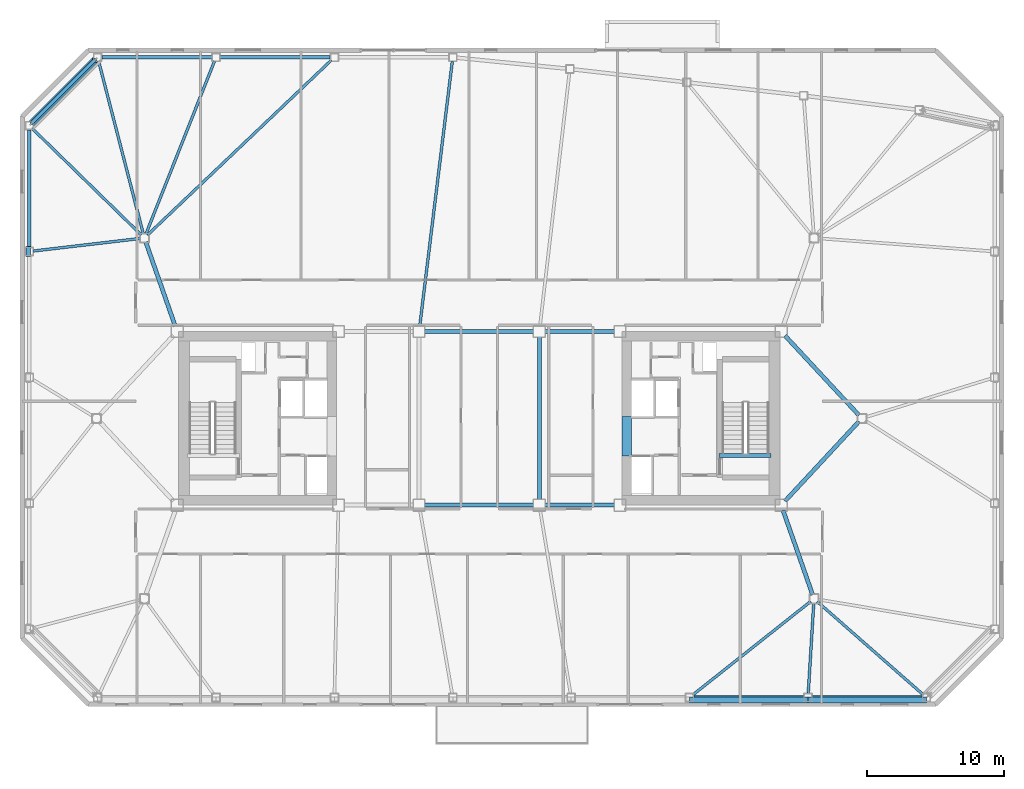
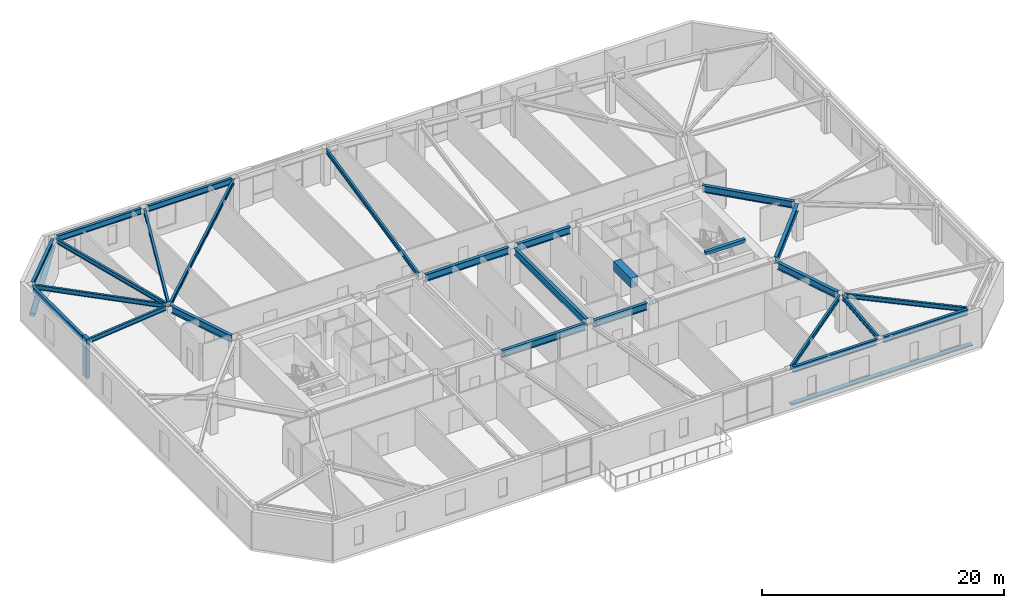
# One storey, part 5 of 19: 26 beams, 4 members.
"""IFC4 building model written with IfcOpenShell, lengths in metres."""

from ifc_helpers import new_model, si_unit, direction, frame, origin, origin_2d, place, context, subcontext, project, spatial, rectangle, hollow_circle, i_section, extrude, material, material_profile, profile_set, type_object, element, save


model = new_model("IFC4")

# Units and contexts
model_context = context("Model", 3, precision=1e-05, world=origin(), true_north=direction((0.0, 1.0)))
body_context = subcontext(model_context, "Body", "Model", "MODEL_VIEW")
ifc_project = project(units=[si_unit("LENGTHUNIT", "METRE"), si_unit("AREAUNIT", "SQUARE_METRE"), si_unit("VOLUMEUNIT", "CUBIC_METRE"), si_unit("PLANEANGLEUNIT", "RADIAN"), si_unit("MASSUNIT", "GRAM", prefix="KILO")], contexts=[model_context])

# Site, building, storey
site_placement = place(None, origin())
site = spatial("IfcSite", under=ifc_project, at=site_placement, CompositionType="ELEMENT")
building_placement = place(site_placement, origin())
building = spatial("IfcBuilding", under=site, at=building_placement, Name="Tavrogorsk Clinical Tower", CompositionType="ELEMENT")
storey_placement = place(building_placement, frame((0.0, 0.0, 188.199951171875)))
storey = spatial("IfcBuildingStorey", under=building, at=storey_placement, Name="L43", CompositionType="ELEMENT", Elevation=188.199951171875)

# Members
ifc_material_1 = material(Name="Anodised aluminium alloy AW-6063", Category="aluminium")
ifc_material_profile_1 = material_profile(ifc_material_1, rectangle(XDim=0.449951171875, YDim=0.1201171875, at=origin_2d()), Name="ALU-SUNSHADE-450x120")
ifc_profile_set_1 = profile_set([ifc_material_profile_1], Name="Anodised aluminium alloy AW-6063")
member_type_1 = type_object("IfcMemberType", Name="ChicagoSunshade_450x120", PredefinedType="USERDEFINED", material=ifc_profile_set_1)
for number, where, z_axis, x_axis, name in (
    (1, (15.394287109375, -20.60009765625, 0.179931640625), (1.0, 0.0, 0.0), (0.0, 1.0, 0.0), "L43 South Aluminium Sunshade S6"),
    (2, (24.05712890625, -20.60009765625, 0.179931640625), (1.0, 0.0, 0.0), (0.0, 1.0, 0.0), "L43 South Aluminium Sunshade S7"),
):
    element("IfcMember", number, at=place(storey_placement, frame(where, z_axis=z_axis, x_axis=x_axis)), inside=storey, type_object=member_type_1, Name=name, ObjectType="SUNSHADE", PredefinedType="USERDEFINED", context=body_context, shape_type="SweptSolid", body=[
        extrude(rectangle(XDim=0.449951171875, YDim=0.1201171875, at=origin_2d()), origin(), (0.0, 0.0, 1.0), 8.662841796875),
    ])

# Beam
ifc_material_2 = material(Name="Concrete B80", Category="concrete")
ifc_material_profile_2 = material_profile(ifc_material_2, rectangle(XDim=0.699951171875, YDim=0.949951171875, at=origin_2d()), Name="RC-CB-700x950")
ifc_profile_set_2 = profile_set([ifc_material_profile_2], Name="Concrete B80")
beam_type_1 = type_object("IfcBeamType", Name="CouplingBeam_RC700x950", PredefinedType="LINTEL", material=ifc_profile_set_2)
beam_1_placement = place(storey_placement, frame((10.800048828125, -2.75, 3.26513671875), z_axis=(0.0, 1.0, 0.0), x_axis=(-1.0, 0.0, 0.0)))
element("IfcBeam", 3, at=beam_1_placement, inside=storey, type_object=beam_type_1, Name="L43 Core East Coupling Beam", PredefinedType="LINTEL", context=body_context, shape_type="SweptSolid", body=[
    extrude(rectangle(XDim=0.699951171875, YDim=0.949951171875, at=origin_2d()), origin(), (0.0, 0.0, 1.0), 2.89990234375),
])

# Member
ifc_material_3 = material(Name="Structural steel S440", Category="steel")
ifc_material_profile_3 = material_profile(ifc_material_3, hollow_circle(Radius=0.25390625, WallThickness=0.02001953125, at=origin_2d()), Name="CHS-508x20")
ifc_profile_set_3 = profile_set([ifc_material_profile_3], Name="Structural steel S440")
member_type_2 = type_object("IfcMemberType", Name="ExoBrace_CHS508", PredefinedType="BRACE", material=ifc_profile_set_3)
member_1_placement = place(storey_placement, frame((-32.717529296875, 21.62255859375, 0.4130859375), z_axis=(0.657758524103, 0.657758524103, 0.367025132572), x_axis=(-0.707106781187, 0.707106781187, 0.0)))
element("IfcMember", 4, at=member_1_placement, inside=storey, type_object=member_type_2, Name="L43 Corner Exoskeleton Brace N8-W1", PredefinedType="BRACE", context=body_context, shape_type="SweptSolid", body=[
    extrude(hollow_circle(Radius=0.25390625, WallThickness=0.02001953125, at=origin_2d()), origin(), (0.0, 0.0, 1.0), 6.98583984375),
])

# Beams
ifc_material_4 = material(Name="Structural steel S355", Category="steel")
ifc_material_profile_4 = material_profile(ifc_material_4, i_section(OverallWidth=0.199951171875, OverallDepth=0.449951171875, WebThickness=0.011474609375, FlangeThickness=0.01806640625, at=origin_2d()), Name="B-450x200x11.5x18")
ifc_profile_set_4 = profile_set([ifc_material_profile_4], Name="Structural steel S355")
beam_type_2 = type_object("IfcBeamType", Name="FloorBeam_B450", PredefinedType="BEAM", material=ifc_profile_set_4)
beam_2_placement = place(storey_placement, frame((24.257080078125, -13.392578125, 3.51513671875), z_axis=(-0.783561002819, -0.621314859682, 0.0), x_axis=(0.621314859682, -0.783561002819, 0.0)))
element("IfcBeam", 5, at=beam_2_placement, inside=storey, type_object=beam_type_2, Name="L43 Radial Floor Beam S6", PredefinedType="BEAM", context=body_context, shape_type="SweptSolid", body=[
    extrude(i_section(OverallWidth=0.199951171875, OverallDepth=0.449951171875, WebThickness=0.011474609375, FlangeThickness=0.01806640625, at=origin_2d()), origin(), (0.0, 0.0, 1.0), 11.002685546875),
])
beam_3_placement = place(storey_placement, frame((24.48095703125, -13.509521484375, 3.51513671875), z_axis=(-0.061224865528, -0.998123998229, 0.0), x_axis=(0.998123998229, -0.061224865528, 0.0)))
element("IfcBeam", 6, at=beam_3_placement, inside=storey, type_object=beam_type_2, Name="L43 Radial Floor Beam S7", PredefinedType="BEAM", context=body_context, shape_type="SweptSolid", body=[
    extrude(i_section(OverallWidth=0.199951171875, OverallDepth=0.449951171875, WebThickness=0.011474609375, FlangeThickness=0.01806640625, at=origin_2d()), origin(), (0.0, 0.0, 1.0), 6.615478515625),
])
beam_4_placement = place(storey_placement, frame((24.73291015625, -13.404541015625, 3.51513671875), z_axis=(0.751322664981, -0.659935037019, 0.0), x_axis=(0.659935037019, 0.751322664981, 0.0)))
element("IfcBeam", 7, at=beam_4_placement, inside=storey, type_object=beam_type_2, Name="L43 Radial Floor Beam S8", PredefinedType="BEAM", context=body_context, shape_type="SweptSolid", body=[
    extrude(i_section(OverallWidth=0.199951171875, OverallDepth=0.449951171875, WebThickness=0.011474609375, FlangeThickness=0.01806640625, at=origin_2d()), origin(), (0.0, 0.0, 1.0), 10.322509765625),
])
beam_5_placement = place(storey_placement, frame((-4.349853515625, 6.7568359375, 3.51513671875), z_axis=(0.122074764034, 0.992520907581, 0.0), x_axis=(-0.992520907581, 0.122074764034, 0.0)))
element("IfcBeam", 8, at=beam_5_placement, inside=storey, type_object=beam_type_2, Name="L43 Radial Floor Beam N5", PredefinedType="BEAM", context=body_context, shape_type="SweptSolid", body=[
    extrude(i_section(OverallWidth=0.199951171875, OverallDepth=0.449951171875, WebThickness=0.011474609375, FlangeThickness=0.01806640625, at=origin_2d()), origin(), (0.0, 0.0, 1.0), 19.503173828125),
])
beam_6_placement = place(storey_placement, frame((-24.275390625, 13.41357421875, 3.51513671875), z_axis=(0.724748919983, 0.689013064451, 0.0), x_axis=(-0.689013064451, 0.724748919983, 0.0)))
element("IfcBeam", 9, at=beam_6_placement, inside=storey, type_object=beam_type_2, Name="L43 Radial Floor Beam N6", PredefinedType="BEAM", context=body_context, shape_type="SweptSolid", body=[
    extrude(i_section(OverallWidth=0.199951171875, OverallDepth=0.449951171875, WebThickness=0.011474609375, FlangeThickness=0.01806640625, at=origin_2d()), origin(), (0.0, 0.0, 1.0), 18.56884765625),
])
beam_7_placement = place(storey_placement, frame((-24.3857421875, 13.48828125, 3.51513671875), z_axis=(0.368659944508, 0.929564330918, 0.0), x_axis=(-0.929564330918, 0.368659944508, 0.0)))
element("IfcBeam", 10, at=beam_7_placement, inside=storey, type_object=beam_type_2, Name="L43 Radial Floor Beam N7", PredefinedType="BEAM", context=body_context, shape_type="SweptSolid", body=[
    extrude(i_section(OverallWidth=0.199951171875, OverallDepth=0.449951171875, WebThickness=0.011474609375, FlangeThickness=0.01806640625, at=origin_2d()), origin(), (0.0, 0.0, 1.0), 13.603759765625),
])
beam_8_placement = place(storey_placement, frame((-24.57763671875, 13.5, 3.51513671875), z_axis=(-0.250445465048, 0.968130708653, 0.0), x_axis=(-0.968130708653, -0.250445465048, 0.0)))
element("IfcBeam", 11, at=beam_8_placement, inside=storey, type_object=beam_type_2, Name="L43 Radial Floor Beam N8", PredefinedType="BEAM", context=body_context, shape_type="SweptSolid", body=[
    extrude(i_section(OverallWidth=0.199951171875, OverallDepth=0.449951171875, WebThickness=0.011474609375, FlangeThickness=0.01806640625, at=origin_2d()), origin(), (0.0, 0.0, 1.0), 13.037353515625),
])
beam_9_placement = place(storey_placement, frame((-24.721923828125, 13.41650390625, 3.51513671875), z_axis=(-0.715552053538, 0.698559416712, 0.0), x_axis=(-0.698559416712, -0.715552053538, 0.0)))
element("IfcBeam", 12, at=beam_9_placement, inside=storey, type_object=beam_type_2, Name="L43 Radial Floor Beam W1", PredefinedType="BEAM", context=body_context, shape_type="SweptSolid", body=[
    extrude(i_section(OverallWidth=0.199951171875, OverallDepth=0.449951171875, WebThickness=0.011474609375, FlangeThickness=0.01806640625, at=origin_2d()), origin(), (0.0, 0.0, 1.0), 11.149169921875),
])
beam_10_placement = place(storey_placement, frame((-24.807861328125, 13.163818359375, 3.51513671875), z_axis=(-0.993156539687, -0.116790785927, 0.0), x_axis=(0.116790785927, -0.993156539687, 0.0)))
element("IfcBeam", 13, at=beam_10_placement, inside=storey, type_object=beam_type_2, Name="L43 Radial Floor Beam W2", PredefinedType="BEAM", context=body_context, shape_type="SweptSolid", body=[
    extrude(i_section(OverallWidth=0.199951171875, OverallDepth=0.449951171875, WebThickness=0.011474609375, FlangeThickness=0.01806640625, at=origin_2d()), origin(), (0.0, 0.0, 1.0), 7.85986328125),
])

# Member
ifc_material_5 = material(Name="Precast concrete B45 with limestone cladding", Category="masonry")
ifc_material_profile_5 = material_profile(ifc_material_5, rectangle(XDim=0.320068359375, YDim=0.719970703125, at=origin_2d()), Name="LIMESTONE-FIN-320x720")
ifc_profile_set_5 = profile_set([ifc_material_profile_5], Name="Precast concrete B45 with limestone cladding")
member_type_3 = type_object("IfcMemberType", Name="LimestonePleatFin_320x720", PredefinedType="USERDEFINED", material=ifc_profile_set_5)
member_2_placement = place(storey_placement, frame((-33.0, 12.2099609375, 0.0), z_axis=(0.0, 0.0, 1.0), x_axis=(1.0, 0.0, 0.0)))
element("IfcMember", 14, at=member_2_placement, inside=storey, type_object=member_type_3, Name="L43 W Pleated Stone Fin 1", ObjectType="FIN", PredefinedType="USERDEFINED", context=body_context, shape_type="SweptSolid", body=[
    extrude(rectangle(XDim=0.320068359375, YDim=0.719970703125, at=origin_2d()), origin(), (0.0, 0.0, 1.0), 4.0),
])

# Beams
ifc_material_6 = material(Name="Structural steel S390", Category="steel")
ifc_material_profile_6 = material_profile(ifc_material_6, i_section(OverallWidth=0.300048828125, OverallDepth=0.699951171875, WebThickness=0.01708984375, FlangeThickness=0.028076171875, at=origin_2d()), Name="B-700x300x17x28")
ifc_profile_set_6 = profile_set([ifc_material_profile_6], Name="Structural steel S390")
beam_type_3 = type_object("IfcBeamType", Name="PrimaryGirder_B700", PredefinedType="USERDEFINED", material=ifc_profile_set_6)
for number, where, z_axis, x_axis, name in (
    (15, (-3.989990234375, -6.35009765625, 3.39013671875), (1.0, 0.0, 0.0), (0.0, 1.0, 0.0), "L43 Primary Spine Girder MG-03"),
    (16, (-3.989990234375, 6.35009765625, 3.39013671875), (1.0, 0.0, 0.0), (0.0, 1.0, 0.0), "L43 Primary Spine Girder MG-04"),
):
    element("IfcBeam", number, at=place(storey_placement, frame(where, z_axis=z_axis, x_axis=x_axis)), inside=storey, type_object=beam_type_3, Name=name, ObjectType="GIRDER", PredefinedType="USERDEFINED", context=body_context, shape_type="SweptSolid", body=[
        extrude(i_section(OverallWidth=0.300048828125, OverallDepth=0.699951171875, WebThickness=0.01708984375, FlangeThickness=0.028076171875, at=origin_2d()), origin(), (0.0, 0.0, 1.0), 7.97998046875),
    ])
for number, where, z_axis, x_axis, name in (
    (17, (4.81005859375, -6.35009765625, 3.39013671875), (1.0, 0.0, 0.0), (0.0, 1.0, 0.0), "L43 Primary Spine Girder MG-05"),
    (18, (4.81005859375, 6.35009765625, 3.39013671875), (1.0, 0.0, 0.0), (0.0, 1.0, 0.0), "L43 Primary Spine Girder MG-06"),
):
    element("IfcBeam", number, at=place(storey_placement, frame(where, z_axis=z_axis, x_axis=x_axis)), inside=storey, type_object=beam_type_3, Name=name, ObjectType="GIRDER", PredefinedType="USERDEFINED", context=body_context, shape_type="SweptSolid", body=[
        extrude(i_section(OverallWidth=0.300048828125, OverallDepth=0.699951171875, WebThickness=0.01708984375, FlangeThickness=0.028076171875, at=origin_2d()), origin(), (0.0, 0.0, 1.0), 5.079833984375),
    ])
beam_11_placement = place(storey_placement, frame((4.39990234375, -5.93994140625, 3.39013671875), z_axis=(0.0, 1.0, 0.0), x_axis=(-1.0, 0.0, 0.0)))
element("IfcBeam", 19, at=beam_11_placement, inside=storey, type_object=beam_type_3, Name="L43 Primary Spine Girder MG-08", ObjectType="GIRDER", PredefinedType="USERDEFINED", context=body_context, shape_type="SweptSolid", body=[
    extrude(i_section(OverallWidth=0.300048828125, OverallDepth=0.699951171875, WebThickness=0.01708984375, FlangeThickness=0.028076171875, at=origin_2d()), origin(), (0.0, 0.0, 1.0), 11.8798828125),
])
for number, where, z_axis, x_axis, name in (
    (20, (24.3974609375, -12.907470703125, 3.39013671875), (-0.33065312634, 0.94375235631, 0.0), (-0.94375235631, -0.33065312634, 0.0), "L43 Spine Link Girder OPG-2"),
    (21, (-24.3974609375, 12.907470703125, 3.39013671875), (0.33065312634, -0.94375235631, 0.0), (0.94375235631, 0.33065312634, 0.0), "L43 Spine Link Girder OPG-3"),
):
    element("IfcBeam", number, at=place(storey_placement, frame(where, z_axis=z_axis, x_axis=x_axis)), inside=storey, type_object=beam_type_3, Name=name, ObjectType="GIRDER", PredefinedType="USERDEFINED", context=body_context, shape_type="SweptSolid", body=[
        extrude(i_section(OverallWidth=0.300048828125, OverallDepth=0.699951171875, WebThickness=0.01708984375, FlangeThickness=0.028076171875, at=origin_2d()), origin(), (0.0, 0.0, 1.0), 6.5380859375),
    ])
for number, where, z_axis, x_axis, name in (
    (22, (27.7890625, -0.22705078125, 3.39013671875), (-0.680673750312, -0.732586681312, 0.0), (0.732586681312, -0.680673750312, 0.0), "L43 Spine Link Girder OPG-7"),
    (23, (27.7890625, 0.22705078125, 3.39013671875), (-0.680673750312, 0.732586681312, 0.0), (-0.732586681312, -0.680673750312, 0.0), "L43 Spine Link Girder OPG-8"),
):
    element("IfcBeam", number, at=place(storey_placement, frame(where, z_axis=z_axis, x_axis=x_axis)), inside=storey, type_object=beam_type_3, Name=name, ObjectType="GIRDER", PredefinedType="USERDEFINED", context=body_context, shape_type="SweptSolid", body=[
        extrude(i_section(OverallWidth=0.300048828125, OverallDepth=0.699951171875, WebThickness=0.01708984375, FlangeThickness=0.028076171875, at=origin_2d()), origin(), (0.0, 0.0, 1.0), 7.947998046875),
    ])
ifc_material_7 = material(Name="Structural steel S390", Category="steel")
ifc_material_profile_7 = material_profile(ifc_material_7, i_section(OverallWidth=0.260009765625, OverallDepth=0.60009765625, WebThickness=0.014892578125, FlangeThickness=0.02392578125, at=origin_2d()), Name="B-600x260x15x24")
ifc_profile_set_7 = profile_set([ifc_material_profile_7], Name="Structural steel S390")
beam_type_4 = type_object("IfcBeamType", Name="SpandrelBeam_B600", PredefinedType="SPANDREL", material=ifc_profile_set_7)
beam_12_placement = place(storey_placement, frame((15.702392578125, -20.419921875, 3.43994140625), z_axis=(1.0, 0.0, 0.0), x_axis=(0.0, 1.0, 0.0)))
element("IfcBeam", 24, at=beam_12_placement, inside=storey, type_object=beam_type_4, Name="L43 Perimeter Spandrel S6-S7", PredefinedType="SPANDREL", context=body_context, shape_type="SweptSolid", body=[
    extrude(i_section(OverallWidth=0.260009765625, OverallDepth=0.60009765625, WebThickness=0.014892578125, FlangeThickness=0.02392578125, at=origin_2d()), origin(), (0.0, 0.0, 1.0), 8.046630859375),
])
beam_13_placement = place(storey_placement, frame((24.364990234375, -20.419921875, 3.43994140625), z_axis=(1.0, 0.0, 0.0), x_axis=(0.0, 1.0, 0.0)))
element("IfcBeam", 25, at=beam_13_placement, inside=storey, type_object=beam_type_4, Name="L43 Perimeter Spandrel S7-S8", PredefinedType="SPANDREL", context=body_context, shape_type="SweptSolid", body=[
    extrude(i_section(OverallWidth=0.260009765625, OverallDepth=0.60009765625, WebThickness=0.014892578125, FlangeThickness=0.02392578125, at=origin_2d()), origin(), (0.0, 0.0, 1.0), 8.047119140625),
])
for number, where, z_axis, x_axis, name in (
    (26, (-10.90234375, 26.419921875, 3.43994140625), (-1.0, 0.0, 0.0), (0.0, -1.0, 0.0), "L43 Perimeter Spandrel N6-N7"),
    (27, (-19.565185546875, 26.419921875, 3.43994140625), (-1.0, 0.0, 0.0), (0.0, -1.0, 0.0), "L43 Perimeter Spandrel N7-N8"),
):
    element("IfcBeam", number, at=place(storey_placement, frame(where, z_axis=z_axis, x_axis=x_axis)), inside=storey, type_object=beam_type_4, Name=name, PredefinedType="SPANDREL", context=body_context, shape_type="SweptSolid", body=[
        extrude(i_section(OverallWidth=0.260009765625, OverallDepth=0.60009765625, WebThickness=0.014892578125, FlangeThickness=0.02392578125, at=origin_2d()), origin(), (0.0, 0.0, 1.0), 8.046875),
    ])
beam_14_placement = place(storey_placement, frame((-28.1376953125, 26.2021484375, 3.43994140625), z_axis=(-0.707106781187, -0.707106781187, 0.0), x_axis=(0.707106781187, -0.707106781187, 0.0)))
element("IfcBeam", 28, at=beam_14_placement, inside=storey, type_object=beam_type_4, Name="L43 Perimeter Spandrel N8-W1", PredefinedType="SPANDREL", context=body_context, shape_type="SweptSolid", body=[
    extrude(i_section(OverallWidth=0.260009765625, OverallDepth=0.60009765625, WebThickness=0.014892578125, FlangeThickness=0.02392578125, at=origin_2d()), origin(), (0.0, 0.0, 1.0), 6.455078125),
])
beam_15_placement = place(storey_placement, frame((-32.919921875, 21.112060546875, 3.43994140625), z_axis=(0.0, -1.0, 0.0), x_axis=(1.0, 0.0, 0.0)))
element("IfcBeam", 29, at=beam_15_placement, inside=storey, type_object=beam_type_4, Name="L43 Perimeter Spandrel W1-W2", PredefinedType="SPANDREL", context=body_context, shape_type="SweptSolid", body=[
    extrude(i_section(OverallWidth=0.260009765625, OverallDepth=0.60009765625, WebThickness=0.014892578125, FlangeThickness=0.02392578125, at=origin_2d()), origin(), (0.0, 0.0, 1.0), 8.593994140625),
])
ifc_material_8 = material(Name="Concrete B60", Category="concrete")
ifc_material_profile_8 = material_profile(ifc_material_8, rectangle(XDim=0.300048828125, YDim=0.35009765625, at=origin_2d()), Name="RC-SHB-300x350")
ifc_profile_set_8 = profile_set([ifc_material_profile_8], Name="Concrete B60")
beam_type_5 = type_object("IfcBeamType", Name="StairHeaderBeam_RC300x350", PredefinedType="BEAM", material=ifc_profile_set_8)
beam_16_placement = place(storey_placement, frame((17.550048828125, -2.719970703125, 3.824951171875), z_axis=(1.0, 0.0, 0.0), x_axis=(0.0, 1.0, 0.0)))
element("IfcBeam", 30, at=beam_16_placement, inside=storey, type_object=beam_type_5, Name="L44 ST-E Landing Header Beam", PredefinedType="BEAM", context=body_context, shape_type="SweptSolid", body=[
    extrude(rectangle(XDim=0.300048828125, YDim=0.35009765625, at=origin_2d()), origin(), (0.0, 0.0, 1.0), 3.800048828125),
])

save(model, "model.ifc")
